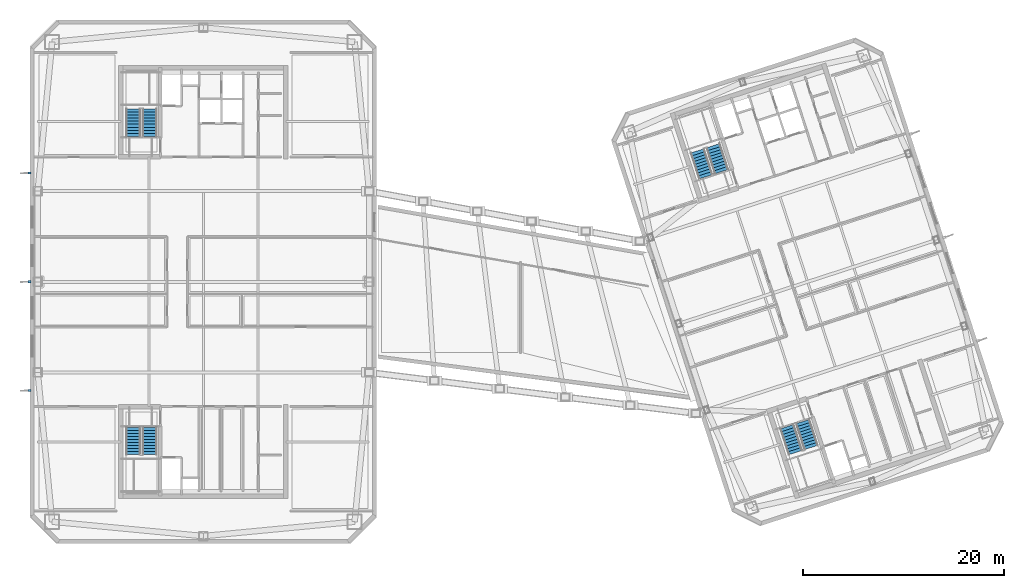
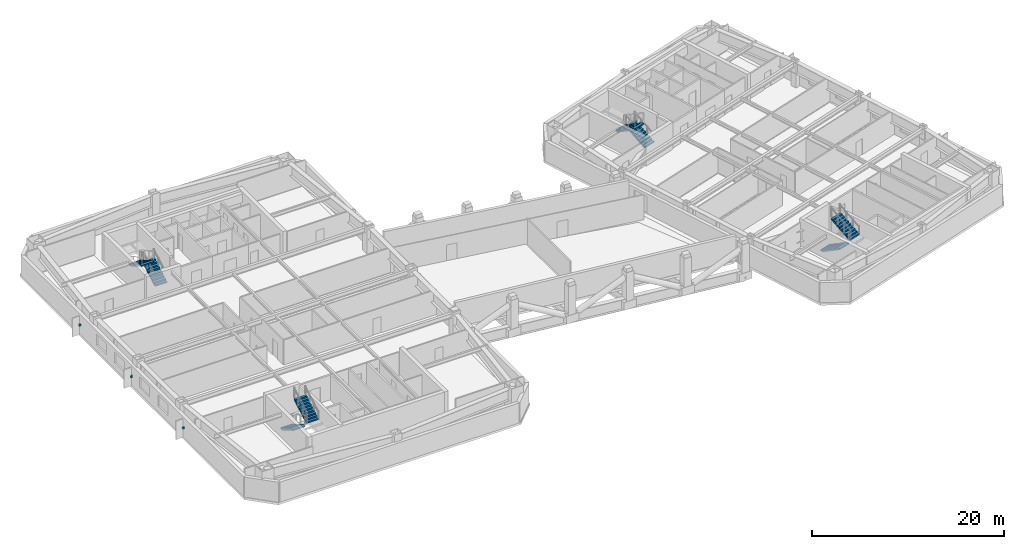
# One storey, part 12 of 19: 8 stair flights, 3 discrete accessories, 4 elements without a shape of their own.
"""IFC4 building model written with IfcOpenShell, lengths in metres."""

from ifc_helpers import new_model, si_unit, direction, frame, origin, origin_2d, place, context, subcontext, project, spatial, polyline, rectangle, outline, extrude, material, type_object, element, aggregate, save


model = new_model("IFC4")

# Units and contexts
model_context = context("Model", 3, precision=1e-05, world=origin(), true_north=direction((0.0, 1.0)))
body_context = subcontext(model_context, "Body", "Model", "MODEL_VIEW")
ifc_project = project(units=[si_unit("LENGTHUNIT", "METRE"), si_unit("AREAUNIT", "SQUARE_METRE"), si_unit("VOLUMEUNIT", "CUBIC_METRE"), si_unit("PLANEANGLEUNIT", "RADIAN"), si_unit("MASSUNIT", "GRAM", prefix="KILO")], contexts=[model_context])

# Site, building, storey
site_placement = place(None, origin())
site = spatial("IfcSite", under=ifc_project, at=site_placement, CompositionType="ELEMENT")
building_placement = place(site_placement, origin())
building = spatial("IfcBuilding", under=site, at=building_placement, Name="Qiaolan Cultural Towers", CompositionType="ELEMENT")
storey_placement = place(building_placement, frame((0.0, 0.0, 216.199951171875)))
storey = spatial("IfcBuildingStorey", under=building, at=storey_placement, Name="L58", CompositionType="ELEMENT", Elevation=216.199951171875)

# Stair, stair flights
ifc_material_1 = material(Name="Concrete C45", Category="concrete")
stair_type = type_object("IfcStairType", Name="STR-CORE-1500", PredefinedType="HALF_TURN_STAIR", material=ifc_material_1)
stair_1_placement = place(storey_placement, origin())
stair_1 = element("IfcStair", 1, at=stair_1_placement, inside=storey, type_object=stair_type, Name="L58 Smokeproof Exit Stair ST-W1", PredefinedType="HALF_TURN_STAIR")
ifc_material_2 = material(Name="Concrete C45", Category="concrete")
stair_flight_type = type_object("IfcStairFlightType", Name="STR-CORE-1500-FL", PredefinedType="STRAIGHT", material=ifc_material_2)
stair_flight_1_placement = place(storey_placement, frame((23.02001953125, 19.550048828125, 0.0), z_axis=(0.0, 0.0, 1.0), x_axis=(0.0, -1.0, 0.0)))
stair_flight_1 = element("IfcStairFlight", 2, at=stair_flight_1_placement, type_object=stair_flight_type, Name="ST-W1 flight 1", NumberOfRisers=10, NumberOfTreads=9, PredefinedType="STRAIGHT", RiserHeight=0.1725, TreadLength=0.3, context=body_context, shape_type="SweptSolid", body=[
    extrude(outline(polyline([(0.0, 0.0), (0.0, 0.172607421875), (0.300048828125, 0.172607421875), (0.300048828125, 0.344970703125), (0.60009765625, 0.344970703125), (0.60009765625, 0.517578125), (0.89990234375, 0.517578125), (0.89990234375, 0.68994140625), (1.199951171875, 0.68994140625), (1.199951171875, 0.862548828125), (1.5, 0.862548828125), (1.5, 1.034912109375), (1.800048828125, 1.034912109375), (1.800048828125, 1.20751953125), (2.10009765625, 1.20751953125), (2.10009765625, 1.3798828125), (2.39990234375, 1.3798828125), (2.39990234375, 1.552490234375), (2.699951171875, 1.552490234375), (2.699951171875, 1.72509765625), (2.699951171875, 1.379638671875), (0.30078125, 0.0), (0.0, 0.0)])), frame((0.0, 0.719970703125, 0.0), z_axis=(0.0, -1.0, 0.0), x_axis=(1.0, 0.0, 0.0)), (0.0, 0.0, 1.0), 1.43994140625),
])
stair_flight_2_placement = place(storey_placement, frame((24.659912109375, 16.85009765625, 1.72509765625), z_axis=(0.0, 0.0, 1.0), x_axis=(0.0, 1.0, 0.0)))
stair_flight_2 = element("IfcStairFlight", 3, at=stair_flight_2_placement, type_object=stair_flight_type, Name="ST-W1 flight 2", NumberOfRisers=10, NumberOfTreads=9, PredefinedType="STRAIGHT", RiserHeight=0.1725, TreadLength=0.3, context=body_context, shape_type="SweptSolid", body=[
    extrude(outline(polyline([(0.0, 0.0), (0.0, 0.172607421875), (0.300048828125, 0.172607421875), (0.300048828125, 0.344970703125), (0.60009765625, 0.344970703125), (0.60009765625, 0.517578125), (0.89990234375, 0.517578125), (0.89990234375, 0.68994140625), (1.199951171875, 0.68994140625), (1.199951171875, 0.862548828125), (1.5, 0.862548828125), (1.5, 1.034912109375), (1.800048828125, 1.034912109375), (1.800048828125, 1.20751953125), (2.10009765625, 1.20751953125), (2.10009765625, 1.3798828125), (2.39990234375, 1.3798828125), (2.39990234375, 1.552490234375), (2.699951171875, 1.552490234375), (2.699951171875, 1.72509765625), (2.699951171875, 1.379638671875), (0.30078125, 0.0), (0.0, 0.0)])), frame((0.0, 0.719970703125, 0.0), z_axis=(0.0, -1.0, 0.0), x_axis=(1.0, 0.0, 0.0)), (0.0, 0.0, 1.0), 1.43994140625),
])
aggregate(stair_1, [stair_flight_1, stair_flight_2])

stair_2_placement = place(storey_placement, origin())
stair_2 = element("IfcStair", 4, at=stair_2_placement, inside=storey, type_object=stair_type, Name="L58 Smokeproof Exit Stair ST-W2", PredefinedType="HALF_TURN_STAIR")
stair_flight_3_placement = place(storey_placement, frame((24.659912109375, 48.449951171875, 0.0), z_axis=(0.0, 0.0, 1.0), x_axis=(0.0, 1.0, 0.0)))
stair_flight_3 = element("IfcStairFlight", 5, at=stair_flight_3_placement, type_object=stair_flight_type, Name="ST-W2 flight 1", NumberOfRisers=10, NumberOfTreads=9, PredefinedType="STRAIGHT", RiserHeight=0.1725, TreadLength=0.3, context=body_context, shape_type="SweptSolid", body=[
    extrude(outline(polyline([(0.0, 0.0), (0.0, 0.172607421875), (0.300048828125, 0.172607421875), (0.300048828125, 0.344970703125), (0.60009765625, 0.344970703125), (0.60009765625, 0.517578125), (0.89990234375, 0.517578125), (0.89990234375, 0.68994140625), (1.199951171875, 0.68994140625), (1.199951171875, 0.862548828125), (1.5, 0.862548828125), (1.5, 1.034912109375), (1.800048828125, 1.034912109375), (1.800048828125, 1.20751953125), (2.10009765625, 1.20751953125), (2.10009765625, 1.3798828125), (2.39990234375, 1.3798828125), (2.39990234375, 1.552490234375), (2.699951171875, 1.552490234375), (2.699951171875, 1.72509765625), (2.699951171875, 1.379638671875), (0.30078125, 0.0), (0.0, 0.0)])), frame((0.0, 0.719970703125, 0.0), z_axis=(0.0, -1.0, 0.0), x_axis=(1.0, 0.0, 0.0)), (0.0, 0.0, 1.0), 1.43994140625),
])
stair_flight_4_placement = place(storey_placement, frame((23.02001953125, 51.14990234375, 1.72509765625), z_axis=(0.0, 0.0, 1.0), x_axis=(0.0, -1.0, 0.0)))
stair_flight_4 = element("IfcStairFlight", 6, at=stair_flight_4_placement, type_object=stair_flight_type, Name="ST-W2 flight 2", NumberOfRisers=10, NumberOfTreads=9, PredefinedType="STRAIGHT", RiserHeight=0.1725, TreadLength=0.3, context=body_context, shape_type="SweptSolid", body=[
    extrude(outline(polyline([(0.0, 0.0), (0.0, 0.172607421875), (0.300048828125, 0.172607421875), (0.300048828125, 0.344970703125), (0.60009765625, 0.344970703125), (0.60009765625, 0.517578125), (0.89990234375, 0.517578125), (0.89990234375, 0.68994140625), (1.199951171875, 0.68994140625), (1.199951171875, 0.862548828125), (1.5, 0.862548828125), (1.5, 1.034912109375), (1.800048828125, 1.034912109375), (1.800048828125, 1.20751953125), (2.10009765625, 1.20751953125), (2.10009765625, 1.3798828125), (2.39990234375, 1.3798828125), (2.39990234375, 1.552490234375), (2.699951171875, 1.552490234375), (2.699951171875, 1.72509765625), (2.699951171875, 1.379638671875), (0.30078125, 0.0), (0.0, 0.0)])), frame((0.0, 0.719970703125, 0.0), z_axis=(0.0, -1.0, 0.0), x_axis=(1.0, 0.0, 0.0)), (0.0, 0.0, 1.0), 1.43994140625),
])
aggregate(stair_2, [stair_flight_3, stair_flight_4])

stair_3_placement = place(storey_placement, origin())
stair_3 = element("IfcStair", 7, at=stair_3_placement, inside=storey, type_object=stair_type, Name="L58 Smokeproof Exit Stair ST-E1", PredefinedType="HALF_TURN_STAIR")
stair_flight_5_placement = place(storey_placement, frame((87.96484375, 19.6171875, 0.0), z_axis=(0.0, 0.0, 1.0), x_axis=(0.309016994375, -0.951056516295, 0.0)))
stair_flight_5 = element("IfcStairFlight", 8, at=stair_flight_5_placement, type_object=stair_flight_type, Name="ST-E1 flight 1", NumberOfRisers=10, NumberOfTreads=9, PredefinedType="STRAIGHT", RiserHeight=0.1725, TreadLength=0.3, context=body_context, shape_type="SweptSolid", body=[
    extrude(outline(polyline([(0.0, 0.0), (0.0, 0.172607421875), (0.300048828125, 0.172607421875), (0.300048828125, 0.344970703125), (0.60009765625, 0.344970703125), (0.60009765625, 0.517578125), (0.89990234375, 0.517578125), (0.89990234375, 0.68994140625), (1.199951171875, 0.68994140625), (1.199951171875, 0.862548828125), (1.5, 0.862548828125), (1.5, 1.034912109375), (1.800048828125, 1.034912109375), (1.800048828125, 1.20751953125), (2.10009765625, 1.20751953125), (2.10009765625, 1.3798828125), (2.39990234375, 1.3798828125), (2.39990234375, 1.552490234375), (2.699951171875, 1.552490234375), (2.699951171875, 1.72509765625), (2.699951171875, 1.379638671875), (0.30078125, 0.0), (0.0, 0.0)])), frame((0.0, 0.719970703125, 0.0), z_axis=(0.0, -1.0, 0.0), x_axis=(1.0, 0.0, 0.0)), (0.0, 0.0, 1.0), 1.43994140625),
])
stair_flight_6_placement = place(storey_placement, frame((90.359130859375, 17.55615234375, 1.72509765625), z_axis=(0.0, 0.0, 1.0), x_axis=(-0.309016994375, 0.951056516295, 0.0)))
stair_flight_6 = element("IfcStairFlight", 9, at=stair_flight_6_placement, type_object=stair_flight_type, Name="ST-E1 flight 2", NumberOfRisers=10, NumberOfTreads=9, PredefinedType="STRAIGHT", RiserHeight=0.1725, TreadLength=0.3, context=body_context, shape_type="SweptSolid", body=[
    extrude(outline(polyline([(0.0, 0.0), (0.0, 0.172607421875), (0.300048828125, 0.172607421875), (0.300048828125, 0.344970703125), (0.60009765625, 0.344970703125), (0.60009765625, 0.517578125), (0.89990234375, 0.517578125), (0.89990234375, 0.68994140625), (1.199951171875, 0.68994140625), (1.199951171875, 0.862548828125), (1.5, 0.862548828125), (1.5, 1.034912109375), (1.800048828125, 1.034912109375), (1.800048828125, 1.20751953125), (2.10009765625, 1.20751953125), (2.10009765625, 1.3798828125), (2.39990234375, 1.3798828125), (2.39990234375, 1.552490234375), (2.699951171875, 1.552490234375), (2.699951171875, 1.72509765625), (2.699951171875, 1.379638671875), (0.30078125, 0.0), (0.0, 0.0)])), frame((0.0, 0.719970703125, 0.0), z_axis=(0.0, -1.0, 0.0), x_axis=(1.0, 0.0, 0.0)), (0.0, 0.0, 1.0), 1.43994140625),
])
aggregate(stair_3, [stair_flight_5, stair_flight_6])

stair_4_placement = place(storey_placement, origin())
stair_4 = element("IfcStair", 10, at=stair_4_placement, inside=storey, type_object=stair_type, Name="L58 Smokeproof Exit Stair ST-E2", PredefinedType="HALF_TURN_STAIR")
stair_flight_7_placement = place(storey_placement, frame((81.459228515625, 44.946533203125, 0.0), z_axis=(0.0, 0.0, 1.0), x_axis=(-0.309016994375, 0.951056516295, 0.0)))
stair_flight_7 = element("IfcStairFlight", 11, at=stair_flight_7_placement, type_object=stair_flight_type, Name="ST-E2 flight 1", NumberOfRisers=10, NumberOfTreads=9, PredefinedType="STRAIGHT", RiserHeight=0.1725, TreadLength=0.3, context=body_context, shape_type="SweptSolid", body=[
    extrude(outline(polyline([(0.0, 0.0), (0.0, 0.172607421875), (0.300048828125, 0.172607421875), (0.300048828125, 0.344970703125), (0.60009765625, 0.344970703125), (0.60009765625, 0.517578125), (0.89990234375, 0.517578125), (0.89990234375, 0.68994140625), (1.199951171875, 0.68994140625), (1.199951171875, 0.862548828125), (1.5, 0.862548828125), (1.5, 1.034912109375), (1.800048828125, 1.034912109375), (1.800048828125, 1.20751953125), (2.10009765625, 1.20751953125), (2.10009765625, 1.3798828125), (2.39990234375, 1.3798828125), (2.39990234375, 1.552490234375), (2.699951171875, 1.552490234375), (2.699951171875, 1.72509765625), (2.699951171875, 1.379638671875), (0.30078125, 0.0), (0.0, 0.0)])), frame((0.0, 0.719970703125, 0.0), z_axis=(0.0, -1.0, 0.0), x_axis=(1.0, 0.0, 0.0)), (0.0, 0.0, 1.0), 1.43994140625),
])
stair_flight_8_placement = place(storey_placement, frame((79.065185546875, 47.007568359375, 1.72509765625), z_axis=(0.0, 0.0, 1.0), x_axis=(0.309016994375, -0.951056516295, 0.0)))
stair_flight_8 = element("IfcStairFlight", 12, at=stair_flight_8_placement, type_object=stair_flight_type, Name="ST-E2 flight 2", NumberOfRisers=10, NumberOfTreads=9, PredefinedType="STRAIGHT", RiserHeight=0.1725, TreadLength=0.3, context=body_context, shape_type="SweptSolid", body=[
    extrude(outline(polyline([(0.0, 0.0), (0.0, 0.172607421875), (0.300048828125, 0.172607421875), (0.300048828125, 0.344970703125), (0.60009765625, 0.344970703125), (0.60009765625, 0.517578125), (0.89990234375, 0.517578125), (0.89990234375, 0.68994140625), (1.199951171875, 0.68994140625), (1.199951171875, 0.862548828125), (1.5, 0.862548828125), (1.5, 1.034912109375), (1.800048828125, 1.034912109375), (1.800048828125, 1.20751953125), (2.10009765625, 1.20751953125), (2.10009765625, 1.3798828125), (2.39990234375, 1.3798828125), (2.39990234375, 1.552490234375), (2.699951171875, 1.552490234375), (2.699951171875, 1.72509765625), (2.699951171875, 1.379638671875), (0.30078125, 0.0), (0.0, 0.0)])), frame((0.0, 0.719970703125, 0.0), z_axis=(0.0, -1.0, 0.0), x_axis=(1.0, 0.0, 0.0)), (0.0, 0.0, 1.0), 1.43994140625),
])
aggregate(stair_4, [stair_flight_7, stair_flight_8])

# Discrete accessories
ifc_material_3 = material(Name="Stainless Steel S31608 Facade Anchor Bracket", Category="steel")
discrete_accessory_type = type_object("IfcDiscreteAccessoryType", Name="ACC-BRK-SS", PredefinedType="BRACKET", material=ifc_material_3)
for number, where, z_axis, x_axis, name in (
    (13, (12.719970703125, 23.199951171875, 1.1552734375), (0.0, 0.0, 1.0), (1.0, 0.0, 0.0), "L58 T1 Facade Fin Anchor Bracket W1"),
    (14, (12.719970703125, 34.0, 1.1552734375), (0.0, 0.0, 1.0), (1.0, 0.0, 0.0), "L58 T1 Facade Fin Anchor Bracket W2"),
    (15, (12.719970703125, 44.800048828125, 1.1552734375), (0.0, 0.0, 1.0), (1.0, 0.0, 0.0), "L58 T1 Facade Fin Anchor Bracket W3"),
):
    element("IfcDiscreteAccessory", number, at=place(storey_placement, frame(where, z_axis=z_axis, x_axis=x_axis)), inside=storey, type_object=discrete_accessory_type, Name=name, PredefinedType="BRACKET", context=body_context, shape_type="SweptSolid", body=[
        extrude(rectangle(XDim=0.280029296875, YDim=0.219970703125, at=origin_2d()), origin(), (0.0, 0.0, 1.0), 0.239990234375),
    ])

save(model, "model.ifc")
